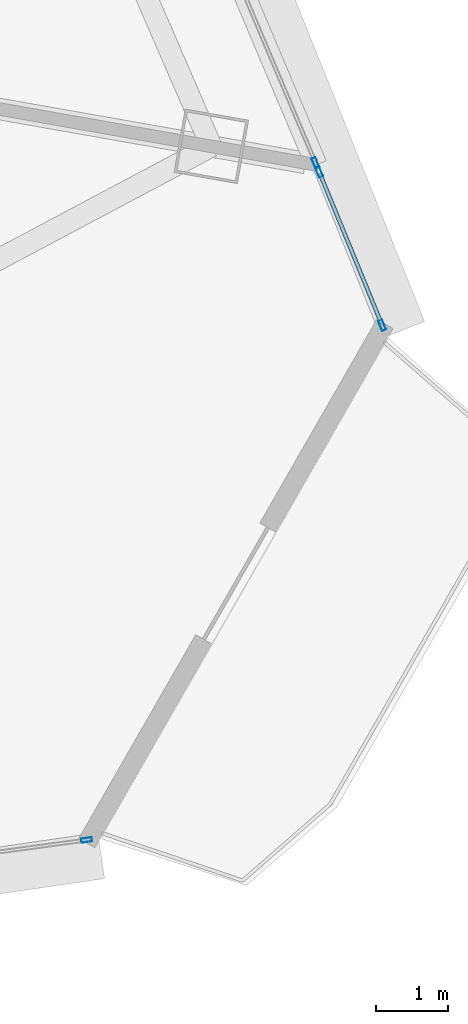
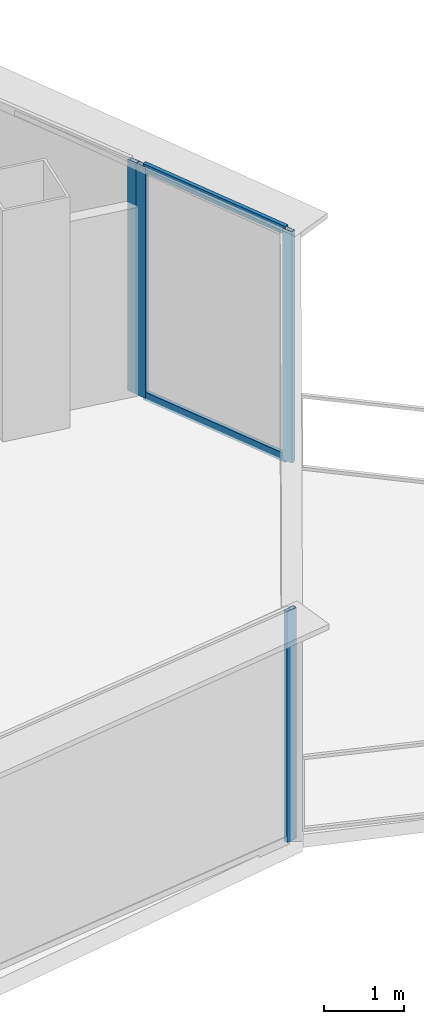
# One storey, part 23 of 36: 6 members, 3 elements without a shape of their own.
"""IFC4 building model written with IfcOpenShell, lengths in metres."""

from ifc_helpers import new_model, si_unit, direction, frame, origin, origin_2d, place, context, subcontext, project, spatial, hollow_rectangle, extrude, source, transform, mapped, material, layer, layer_set, material_profile, profile_set, type_object, element, aggregate, save


model = new_model("IFC4")

# Units and contexts
model_context = context("Model", 3, precision=1e-05, world=origin(), true_north=direction((0.0, 1.0)))
body_context = subcontext(model_context, "Body", "Model", "MODEL_VIEW")
ifc_project = project(units=[si_unit("LENGTHUNIT", "METRE"), si_unit("AREAUNIT", "SQUARE_METRE"), si_unit("VOLUMEUNIT", "CUBIC_METRE"), si_unit("PLANEANGLEUNIT", "RADIAN"), si_unit("MASSUNIT", "GRAM", prefix="KILO"), si_unit("THERMODYNAMICTEMPERATUREUNIT", "KELVIN"), si_unit("POWERUNIT", "WATT")], contexts=[model_context])

# Site, building, storey
site_placement = place(None, origin())
site = spatial("IfcSite", under=ifc_project, at=site_placement, CompositionType="ELEMENT")
building_placement = place(site_placement, origin())
building = spatial("IfcBuilding", under=site, at=building_placement, Name="Yunzhuo Pagoda Commons", CompositionType="ELEMENT")
storey_placement = place(building_placement, frame((0.0, 0.0, 211.360107421875)))
storey = spatial("IfcBuildingStorey", under=building, at=storey_placement, Name="L53", CompositionType="ELEMENT", Elevation=211.360107421875)

# Curtain wall, member
ifc_material = material(Name="Anodized aluminium 6063-T6", Category="aluminium")
ifc_layer = layer(ifc_material, 0.14990234375)
ifc_layer_set = layer_set([ifc_layer], Name="Anodized aluminium 6063-T6")
curtain_wall_type = type_object("IfcCurtainWallType", Name="CW-MID Mid-Zone Ribbon Curtain Wall", PredefinedType="NOTDEFINED", material=ifc_layer_set)
curtain_wall_1_placement = place(storey_placement, origin())
curtain_wall_1 = element("IfcCurtainWall", 1, at=curtain_wall_1_placement, inside=storey, type_object=curtain_wall_type, Name="L53 curtain wall CW-L53-F1B5", PredefinedType="NOTDEFINED")
ifc_material_profile_1 = material_profile(ifc_material, hollow_rectangle(XDim=0.06005859375, YDim=0.14990234375, WallThickness=0.00390625, at=origin_2d()), Name="Anodized aluminium 6063-T6")
ifc_profile_set_1 = profile_set([ifc_material_profile_1], Name="Anodized aluminium 6063-T6")
member_type_1 = type_object("IfcMemberType", Name="CW-MID-M Mullion RHS 150x60x4", PredefinedType="MULLION", material=ifc_profile_set_1)
shared_shape_1 = source(origin(), body_context, "Body", "SweptSolid", [
    extrude(hollow_rectangle(XDim=0.06005859375, YDim=0.14990234375, WallThickness=0.00390625, at=origin_2d()), origin(), (0.0, 0.0, 1.0), 3.539794921875),
])
member_1_placement = place(storey_placement, frame((81.46337890625, 17.793212890625, 0.0), z_axis=(0.0, 0.0, 1.0), x_axis=(-0.134839446061, 0.990867460252, 0.0)))
member_1 = element("IfcMember", 2, at=member_1_placement, type_object=member_type_1, Name="CW mullion 2", PredefinedType="MULLION", context=body_context, shape_type="MappedRepresentation", body=[
    mapped(shared_shape_1, transform((0.0, 0.0, 0.0), scale=1.0)),
])
aggregate(curtain_wall_1, [member_1])

curtain_wall_2_placement = place(storey_placement, origin())
curtain_wall_2 = element("IfcCurtainWall", 3, at=curtain_wall_2_placement, inside=storey, type_object=curtain_wall_type, Name="L53 curtain wall CW-L53-F2B2", PredefinedType="NOTDEFINED")
member_2_placement = place(storey_placement, frame((84.66357421875, 27.2607421875, 0.0), z_axis=(0.0, 0.0, 1.0), x_axis=(-0.920979205321, -0.389611734123, 0.0)))
member_2 = element("IfcMember", 4, at=member_2_placement, type_object=member_type_1, Name="CW mullion 1", PredefinedType="MULLION", context=body_context, shape_type="MappedRepresentation", body=[
    mapped(shared_shape_1, transform((0.0, 0.0, 0.0), scale=1.0)),
])
aggregate(curtain_wall_2, [member_2])

# Curtain wall, members
curtain_wall_3_placement = place(storey_placement, origin())
curtain_wall_3 = element("IfcCurtainWall", 5, at=curtain_wall_3_placement, inside=storey, type_object=curtain_wall_type, Name="L53 curtain wall CW-L53-F2B1", PredefinedType="NOTDEFINED")
member_3_placement = place(storey_placement, frame((85.595703125, 24.990234375, 0.0), z_axis=(0.0, 0.0, 1.0), x_axis=(-0.925117902297, -0.379679953183, 0.0)))
member_3 = element("IfcMember", 6, at=member_3_placement, type_object=member_type_1, Name="CW mullion 1", PredefinedType="MULLION", context=body_context, shape_type="MappedRepresentation", body=[
    mapped(shared_shape_1, transform((0.0, 0.0, 0.0), scale=1.0)),
])
member_4_placement = place(storey_placement, frame((84.715087890625, 27.135986328125, 0.0), z_axis=(0.0, 0.0, 1.0), x_axis=(-0.925117902297, -0.379679953183, 0.0)))
member_4 = element("IfcMember", 7, at=member_4_placement, type_object=member_type_1, Name="CW mullion 2", PredefinedType="MULLION", context=body_context, shape_type="MappedRepresentation", body=[
    mapped(shared_shape_1, transform((0.0, 0.0, 0.0), scale=1.0)),
])
ifc_material_profile_2 = material_profile(ifc_material, hollow_rectangle(XDim=0.054931640625, YDim=0.1298828125, WallThickness=0.00341796875, at=origin_2d()), Name="Anodized aluminium 6063-T6")
ifc_profile_set_2 = profile_set([ifc_material_profile_2], Name="Anodized aluminium 6063-T6")
member_type_2 = type_object("IfcMemberType", Name="CW-MID-T Transom RHS 130x55x3.5", PredefinedType="USERDEFINED", material=ifc_profile_set_2)
shared_shape_2 = source(origin(), body_context, "Body", "SweptSolid", [
    extrude(hollow_rectangle(XDim=0.054931640625, YDim=0.1298828125, WallThickness=0.00341796875, at=origin_2d()), origin(), (0.0, 0.0, 1.0), 2.259521484375),
])
member_5_placement = place(storey_placement, frame((85.58447265625, 25.01806640625, 0.02734375), z_axis=(-0.379591927892, 0.925154024084, 0.0), x_axis=(-0.925154024084, -0.379591927892, 0.0)))
member_5 = element("IfcMember", 8, at=member_5_placement, type_object=member_type_2, Name="CW transom 1.1", ObjectType="TRANSOM", PredefinedType="USERDEFINED", context=body_context, shape_type="MappedRepresentation", body=[
    mapped(shared_shape_2, transform((0.0, 0.0, 0.0), scale=1.0)),
])
member_6_placement = place(storey_placement, frame((85.58447265625, 25.01806640625, 3.512451171875), z_axis=(-0.379591927892, 0.925154024084, 0.0), x_axis=(-0.925154024084, -0.379591927892, 0.0)))
member_6 = element("IfcMember", 9, at=member_6_placement, type_object=member_type_2, Name="CW transom 1.2", ObjectType="TRANSOM", PredefinedType="USERDEFINED", context=body_context, shape_type="MappedRepresentation", body=[
    mapped(shared_shape_2, transform((0.0, 0.0, 0.0), scale=1.0)),
])
aggregate(curtain_wall_3, [member_3, member_4, member_5, member_6])

save(model, "model.ifc")
